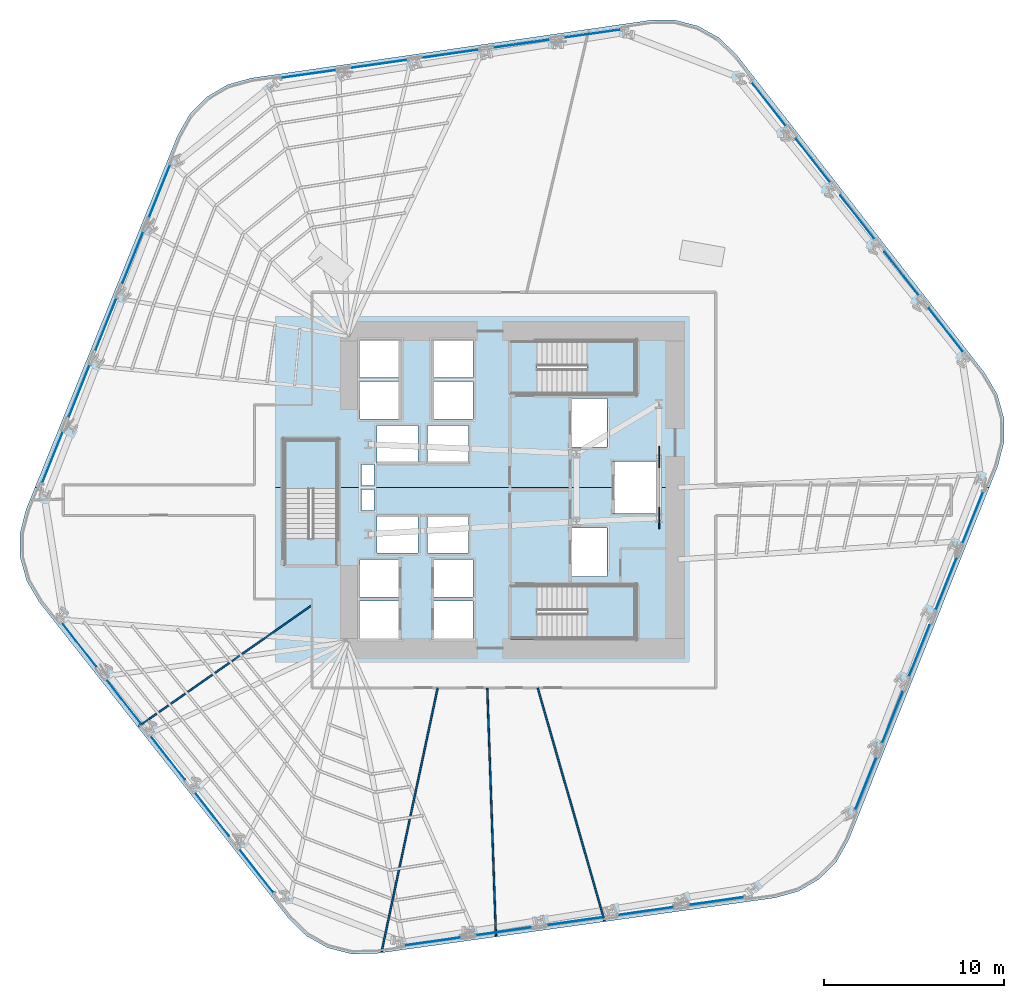
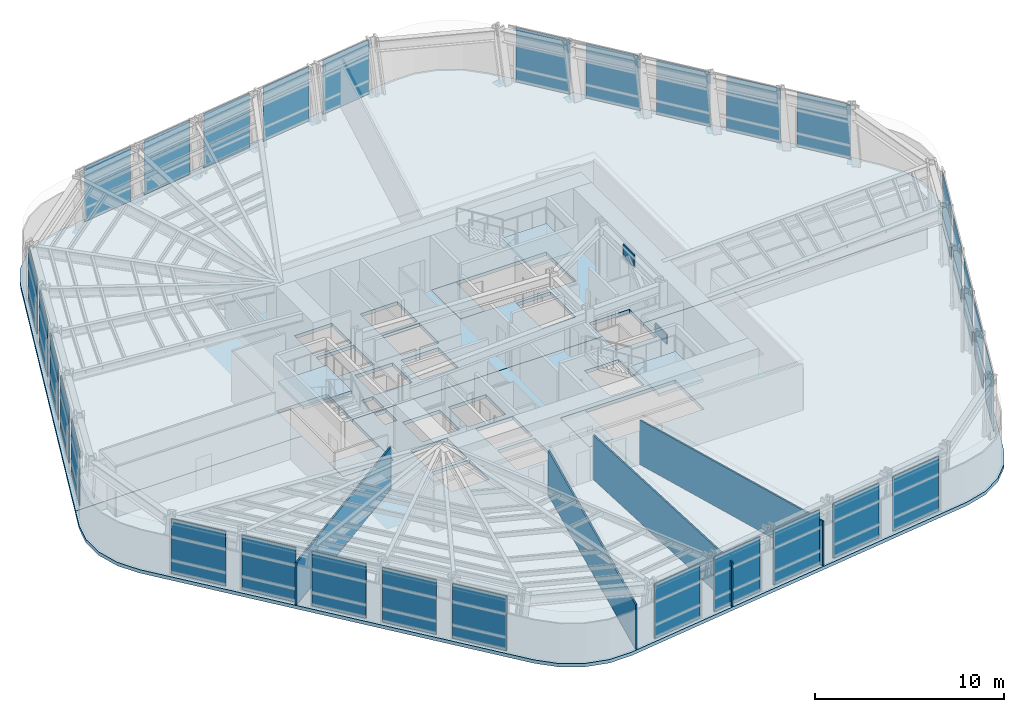
# One storey, part 7 of 16: 32 plates, 8 slabs, 4 walls, 9 elements without a shape of their own.
"""IFC4 building model written with IfcOpenShell, lengths in metres."""

from ifc_helpers import new_model, si_unit, direction, frame, frame_2d, origin, origin_2d, place, context, subcontext, project, spatial, polyline, rectangle, outline, extrude, material, layer, layer_set, type_object, element, aggregate, save


model = new_model("IFC4")

# Units and contexts
model_context = context("Model", 3, precision=1e-05, world=origin(), true_north=direction((0.0, 1.0)))
body_context = subcontext(model_context, "Body", "Model", "MODEL_VIEW")
ifc_project = project(units=[si_unit("LENGTHUNIT", "METRE"), si_unit("AREAUNIT", "SQUARE_METRE"), si_unit("VOLUMEUNIT", "CUBIC_METRE"), si_unit("PLANEANGLEUNIT", "RADIAN"), si_unit("MASSUNIT", "GRAM", prefix="KILO")], contexts=[model_context])

# Site, building, storey
site_placement = place(None, origin())
site = spatial("IfcSite", under=ifc_project, at=site_placement, CompositionType="ELEMENT")
building_placement = place(site_placement, origin())
building = spatial("IfcBuilding", under=site, at=building_placement, Name="Valkerne Bourse Tower", CompositionType="ELEMENT")
storey_placement = place(building_placement, frame((0.0, 0.0, 58.199951171875)))
storey = spatial("IfcBuildingStorey", under=building, at=storey_placement, Name="L14", CompositionType="ELEMENT", Elevation=58.199951171875)

# Curtain wall, plates
ifc_material_1 = material(Name="Aluminium AA 6063-T6", Category="aluminium")
ifc_layer_1 = layer(ifc_material_1, 0.22509765625)
ifc_layer_set_1 = layer_set([ifc_layer_1], Name="Aluminium AA 6063-T6")
curtain_wall_type = type_object("IfcCurtainWallType", Name="CW-01", PredefinedType="NOTDEFINED", material=ifc_layer_set_1)
curtain_wall_1_placement = place(storey_placement, origin())
curtain_wall_1 = element("IfcCurtainWall", 1, at=curtain_wall_1_placement, inside=storey, type_object=curtain_wall_type, Name="L14 Hexagonal Stick Curtain Wall Face 1", PredefinedType="NOTDEFINED")
ifc_material_2 = material(Name="Glass IGU Low-E Double Glazed", Category="glass")
ifc_layer_2 = layer(ifc_material_2, 0.031982421875)
ifc_layer_set_2 = layer_set([ifc_layer_2], Name="Glass IGU Low-E Double Glazed")
plate_type_1 = type_object("IfcPlateType", Name="CW-PNL-IGU-32", PredefinedType="CURTAIN_PANEL", material=ifc_layer_set_2)
plate_1_placement = place(storey_placement, frame((70.91064453125, 35.749267578125, 0.030029296875), z_axis=(0.0, 0.0, 1.0), x_axis=(-0.617050915686, 0.786923228435, 0.0)))
plate_1 = element("IfcPlate", 2, at=plate_1_placement, type_object=plate_type_1, Name="CW-L14-F1 Curtain Panel 00", PredefinedType="CURTAIN_PANEL", context=body_context, shape_type="SweptSolid", body=[
    extrude(rectangle(XDim=3.075927734375, YDim=0.031982421875, at=origin_2d()), origin(), (0.0, 0.0, 1.0), 3.52001953125),
])
plate_2_placement = place(storey_placement, frame((68.445068359375, 38.893798828125, 0.030029296875), z_axis=(0.0, 0.0, 1.0), x_axis=(-0.617038764225, 0.786932756621, 0.0)))
plate_2 = element("IfcPlate", 3, at=plate_2_placement, type_object=plate_type_1, Name="CW-L14-F1 Curtain Panel 01", PredefinedType="CURTAIN_PANEL", context=body_context, shape_type="SweptSolid", body=[
    extrude(rectangle(XDim=3.075927734375, YDim=0.031982421875, at=origin_2d()), origin(), (0.0, 0.0, 1.0), 3.52001953125),
])
plate_3_placement = place(storey_placement, frame((65.979248046875, 42.03857421875, 0.030029296875), z_axis=(0.0, 0.0, 1.0), x_axis=(-0.617038764225, 0.786932756621, 0.0)))
plate_3 = element("IfcPlate", 4, at=plate_3_placement, type_object=plate_type_1, Name="CW-L14-F1 Curtain Panel 02", PredefinedType="CURTAIN_PANEL", context=body_context, shape_type="SweptSolid", body=[
    extrude(rectangle(XDim=3.075927734375, YDim=0.031982421875, at=origin_2d()), origin(), (0.0, 0.0, 1.0), 3.52001953125),
])
plate_4_placement = place(storey_placement, frame((63.513671875, 45.18310546875, 0.030029296875), z_axis=(0.0, 0.0, 1.0), x_axis=(-0.617023266871, 0.786944907945, 0.0)))
plate_4 = element("IfcPlate", 5, at=plate_4_placement, type_object=plate_type_1, Name="CW-L14-F1 Curtain Panel 03", PredefinedType="CURTAIN_PANEL", context=body_context, shape_type="SweptSolid", body=[
    extrude(rectangle(XDim=3.075927734375, YDim=0.031982421875, at=origin_2d()), origin(), (0.0, 0.0, 1.0), 3.52001953125),
])
plate_5_placement = place(storey_placement, frame((61.048095703125, 48.32763671875, 0.030029296875), z_axis=(0.0, 0.0, 1.0), x_axis=(-0.617038764225, 0.786932756621, 0.0)))
plate_5 = element("IfcPlate", 6, at=plate_5_placement, type_object=plate_type_1, Name="CW-L14-F1 Curtain Panel 04", PredefinedType="CURTAIN_PANEL", context=body_context, shape_type="SweptSolid", body=[
    extrude(rectangle(XDim=3.075927734375, YDim=0.031982421875, at=origin_2d()), origin(), (0.0, 0.0, 1.0), 3.52001953125),
])
aggregate(curtain_wall_1, [plate_1, plate_2, plate_3, plate_4, plate_5])

curtain_wall_2_placement = place(storey_placement, origin())
curtain_wall_2 = element("IfcCurtainWall", 7, at=curtain_wall_2_placement, inside=storey, type_object=curtain_wall_type, Name="L14 Hexagonal Stick Curtain Wall Face 2", PredefinedType="NOTDEFINED")
plate_6_placement = place(storey_placement, frame((51.2783203125, 52.255126953125, 0.030029296875), z_axis=(0.0, 0.0, 1.0), x_axis=(-0.990021934564, -0.140913338908, 0.0)))
plate_6 = element("IfcPlate", 8, at=plate_6_placement, type_object=plate_type_1, Name="CW-L14-F2 Curtain Panel 00", PredefinedType="CURTAIN_PANEL", context=body_context, shape_type="SweptSolid", body=[
    extrude(rectangle(XDim=3.076171875, YDim=0.031982421875, at=origin_2d()), origin(), (0.0, 0.0, 1.0), 3.52001953125),
])
plate_7_placement = place(storey_placement, frame((47.322021484375, 51.692138671875, 0.030029296875), z_axis=(0.0, 0.0, 1.0), x_axis=(-0.990024928635, -0.14089230171, 0.0)))
plate_7 = element("IfcPlate", 9, at=plate_7_placement, type_object=plate_type_1, Name="CW-L14-F2 Curtain Panel 01", PredefinedType="CURTAIN_PANEL", context=body_context, shape_type="SweptSolid", body=[
    extrude(rectangle(XDim=3.075927734375, YDim=0.031982421875, at=origin_2d()), origin(), (0.0, 0.0, 1.0), 3.52001953125),
])
plate_8_placement = place(storey_placement, frame((43.365966796875, 51.12890625, 0.030029296875), z_axis=(0.0, 0.0, 1.0), x_axis=(-0.990021437646, -0.140916830088, 0.0)))
plate_8 = element("IfcPlate", 10, at=plate_8_placement, type_object=plate_type_1, Name="CW-L14-F2 Curtain Panel 02", PredefinedType="CURTAIN_PANEL", context=body_context, shape_type="SweptSolid", body=[
    extrude(rectangle(XDim=3.075927734375, YDim=0.031982421875, at=origin_2d()), origin(), (0.0, 0.0, 1.0), 3.52001953125),
])
plate_9_placement = place(storey_placement, frame((39.409912109375, 50.56591796875, 0.030029296875), z_axis=(0.0, 0.0, 1.0), x_axis=(-0.990025425383, -0.140888811104, 0.0)))
plate_9 = element("IfcPlate", 11, at=plate_9_placement, type_object=plate_type_1, Name="CW-L14-F2 Curtain Panel 03", PredefinedType="CURTAIN_PANEL", context=body_context, shape_type="SweptSolid", body=[
    extrude(rectangle(XDim=3.076171875, YDim=0.031982421875, at=origin_2d()), origin(), (0.0, 0.0, 1.0), 3.52001953125),
])
plate_10_placement = place(storey_placement, frame((35.45361328125, 50.0029296875, 0.030029296875), z_axis=(0.0, 0.0, 1.0), x_axis=(-0.990021437646, -0.140916830088, 0.0)))
plate_10 = element("IfcPlate", 12, at=plate_10_placement, type_object=plate_type_1, Name="CW-L14-F2 Curtain Panel 04", PredefinedType="CURTAIN_PANEL", context=body_context, shape_type="SweptSolid", body=[
    extrude(rectangle(XDim=3.075927734375, YDim=0.031982421875, at=origin_2d()), origin(), (0.0, 0.0, 1.0), 3.52001953125),
])
aggregate(curtain_wall_2, [plate_6, plate_7, plate_8, plate_9, plate_10])

curtain_wall_3_placement = place(storey_placement, origin())
curtain_wall_3 = element("IfcCurtainWall", 13, at=curtain_wall_3_placement, inside=storey, type_object=curtain_wall_type, Name="L14 Hexagonal Stick Curtain Wall Face 3", PredefinedType="NOTDEFINED")
plate_11_placement = place(storey_placement, frame((27.16748046875, 43.505859375, 0.030029296875), z_axis=(0.0, 0.0, 1.0), x_axis=(-0.372999492864, -0.927831546307, 0.0)))
plate_11 = element("IfcPlate", 14, at=plate_11_placement, type_object=plate_type_1, Name="CW-L14-F3 Curtain Panel 00", PredefinedType="CURTAIN_PANEL", context=body_context, shape_type="SweptSolid", body=[
    extrude(rectangle(XDim=3.075927734375, YDim=0.031982421875, at=origin_2d()), origin(), (0.0, 0.0, 1.0), 3.52001953125),
])
plate_12_placement = place(storey_placement, frame((25.677001953125, 39.798095703125, 0.030029296875), z_axis=(0.0, 0.0, 1.0), x_axis=(-0.372969288958, -0.927843688071, 0.0)))
plate_12 = element("IfcPlate", 15, at=plate_12_placement, type_object=plate_type_1, Name="CW-L14-F3 Curtain Panel 01", PredefinedType="CURTAIN_PANEL", context=body_context, shape_type="SweptSolid", body=[
    extrude(rectangle(XDim=3.075927734375, YDim=0.031982421875, at=origin_2d()), origin(), (0.0, 0.0, 1.0), 3.52001953125),
])
plate_13_placement = place(storey_placement, frame((24.1865234375, 36.090576171875, 0.030029296875), z_axis=(0.0, 0.0, 1.0), x_axis=(-0.372999492864, -0.927831546307, 0.0)))
plate_13 = element("IfcPlate", 16, at=plate_13_placement, type_object=plate_type_1, Name="CW-L14-F3 Curtain Panel 02", PredefinedType="CURTAIN_PANEL", context=body_context, shape_type="SweptSolid", body=[
    extrude(rectangle(XDim=3.075927734375, YDim=0.031982421875, at=origin_2d()), origin(), (0.0, 0.0, 1.0), 3.52001953125),
])
plate_14_placement = place(storey_placement, frame((22.6962890625, 32.3828125, 0.030029296875), z_axis=(0.0, 0.0, 1.0), x_axis=(-0.372977949163, -0.927840206845, 0.0)))
plate_14 = element("IfcPlate", 17, at=plate_14_placement, type_object=plate_type_1, Name="CW-L14-F3 Curtain Panel 03", PredefinedType="CURTAIN_PANEL", context=body_context, shape_type="SweptSolid", body=[
    extrude(rectangle(XDim=3.075927734375, YDim=0.031982421875, at=origin_2d()), origin(), (0.0, 0.0, 1.0), 3.52001953125),
])
plate_15_placement = place(storey_placement, frame((21.205810546875, 28.67529296875, 0.030029296875), z_axis=(0.0, 0.0, 1.0), x_axis=(-0.372990832335, -0.927835027898, 0.0)))
plate_15 = element("IfcPlate", 18, at=plate_15_placement, type_object=plate_type_1, Name="CW-L14-F3 Curtain Panel 04", PredefinedType="CURTAIN_PANEL", context=body_context, shape_type="SweptSolid", body=[
    extrude(rectangle(XDim=3.076171875, YDim=0.031982421875, at=origin_2d()), origin(), (0.0, 0.0, 1.0), 3.52001953125),
])
aggregate(curtain_wall_3, [plate_11, plate_12, plate_13, plate_14, plate_15])

curtain_wall_4_placement = place(storey_placement, origin())
curtain_wall_4 = element("IfcCurtainWall", 19, at=curtain_wall_4_placement, inside=storey, type_object=curtain_wall_type, Name="L14 Hexagonal Stick Curtain Wall Face 4", PredefinedType="NOTDEFINED")
plate_16_placement = place(storey_placement, frame((22.689208984375, 18.250732421875, 0.030029296875), z_axis=(0.0, 0.0, 1.0), x_axis=(0.617050915686, -0.786923228435, 0.0)))
plate_16 = element("IfcPlate", 20, at=plate_16_placement, type_object=plate_type_1, Name="CW-L14-F4 Curtain Panel 00", PredefinedType="CURTAIN_PANEL", context=body_context, shape_type="SweptSolid", body=[
    extrude(rectangle(XDim=3.075927734375, YDim=0.031982421875, at=origin_2d()), origin(), (0.0, 0.0, 1.0), 3.52001953125),
])
plate_17_placement = place(storey_placement, frame((25.155029296875, 15.106201171875, 0.030029296875), z_axis=(0.0, 0.0, 1.0), x_axis=(0.617038764225, -0.786932756621, 0.0)))
plate_17 = element("IfcPlate", 21, at=plate_17_placement, type_object=plate_type_1, Name="CW-L14-F4 Curtain Panel 01", PredefinedType="CURTAIN_PANEL", context=body_context, shape_type="SweptSolid", body=[
    extrude(rectangle(XDim=3.075927734375, YDim=0.031982421875, at=origin_2d()), origin(), (0.0, 0.0, 1.0), 3.52001953125),
])
plate_18_placement = place(storey_placement, frame((27.62060546875, 11.96142578125, 0.030029296875), z_axis=(0.0, 0.0, 1.0), x_axis=(0.617038764225, -0.786932756621, 0.0)))
plate_18 = element("IfcPlate", 22, at=plate_18_placement, type_object=plate_type_1, Name="CW-L14-F4 Curtain Panel 02", PredefinedType="CURTAIN_PANEL", context=body_context, shape_type="SweptSolid", body=[
    extrude(rectangle(XDim=3.075927734375, YDim=0.031982421875, at=origin_2d()), origin(), (0.0, 0.0, 1.0), 3.52001953125),
])
plate_19_placement = place(storey_placement, frame((30.086181640625, 8.81689453125, 0.030029296875), z_axis=(0.0, 0.0, 1.0), x_axis=(0.617023266871, -0.786944907945, 0.0)))
plate_19 = element("IfcPlate", 23, at=plate_19_placement, type_object=plate_type_1, Name="CW-L14-F4 Curtain Panel 03", PredefinedType="CURTAIN_PANEL", context=body_context, shape_type="SweptSolid", body=[
    extrude(rectangle(XDim=3.075927734375, YDim=0.031982421875, at=origin_2d()), origin(), (0.0, 0.0, 1.0), 3.52001953125),
])
plate_20_placement = place(storey_placement, frame((32.552001953125, 5.67236328125, 0.030029296875), z_axis=(0.0, 0.0, 1.0), x_axis=(0.617038764225, -0.786932756621, 0.0)))
plate_20 = element("IfcPlate", 24, at=plate_20_placement, type_object=plate_type_1, Name="CW-L14-F4 Curtain Panel 04", PredefinedType="CURTAIN_PANEL", context=body_context, shape_type="SweptSolid", body=[
    extrude(rectangle(XDim=3.075927734375, YDim=0.031982421875, at=origin_2d()), origin(), (0.0, 0.0, 1.0), 3.52001953125),
])
aggregate(curtain_wall_4, [plate_16, plate_17, plate_18, plate_19, plate_20])

curtain_wall_5_placement = place(storey_placement, origin())
curtain_wall_5 = element("IfcCurtainWall", 25, at=curtain_wall_5_placement, inside=storey, type_object=curtain_wall_type, Name="L14 Hexagonal Stick Curtain Wall Face 5", PredefinedType="NOTDEFINED")
plate_21_placement = place(storey_placement, frame((42.32177734375, 1.744873046875, 0.030029296875), z_axis=(0.0, 0.0, 1.0), x_axis=(0.990021934564, 0.140913338908, 0.0)))
plate_21 = element("IfcPlate", 26, at=plate_21_placement, type_object=plate_type_1, Name="CW-L14-F5 Curtain Panel 00", PredefinedType="CURTAIN_PANEL", context=body_context, shape_type="SweptSolid", body=[
    extrude(rectangle(XDim=3.076171875, YDim=0.031982421875, at=origin_2d()), origin(), (0.0, 0.0, 1.0), 3.52001953125),
])
plate_22_placement = place(storey_placement, frame((46.278076171875, 2.307861328125, 0.030029296875), z_axis=(0.0, 0.0, 1.0), x_axis=(0.990024928635, 0.14089230171, 0.0)))
plate_22 = element("IfcPlate", 27, at=plate_22_placement, type_object=plate_type_1, Name="CW-L14-F5 Curtain Panel 01", PredefinedType="CURTAIN_PANEL", context=body_context, shape_type="SweptSolid", body=[
    extrude(rectangle(XDim=3.075927734375, YDim=0.031982421875, at=origin_2d()), origin(), (0.0, 0.0, 1.0), 3.52001953125),
])
plate_23_placement = place(storey_placement, frame((50.23388671875, 2.87109375, 0.030029296875), z_axis=(0.0, 0.0, 1.0), x_axis=(0.990021437646, 0.140916830088, 0.0)))
plate_23 = element("IfcPlate", 28, at=plate_23_placement, type_object=plate_type_1, Name="CW-L14-F5 Curtain Panel 02", PredefinedType="CURTAIN_PANEL", context=body_context, shape_type="SweptSolid", body=[
    extrude(rectangle(XDim=3.075927734375, YDim=0.031982421875, at=origin_2d()), origin(), (0.0, 0.0, 1.0), 3.52001953125),
])
plate_24_placement = place(storey_placement, frame((54.190185546875, 3.43408203125, 0.030029296875), z_axis=(0.0, 0.0, 1.0), x_axis=(0.990025425383, 0.140888811104, 0.0)))
plate_24 = element("IfcPlate", 29, at=plate_24_placement, type_object=plate_type_1, Name="CW-L14-F5 Curtain Panel 03", PredefinedType="CURTAIN_PANEL", context=body_context, shape_type="SweptSolid", body=[
    extrude(rectangle(XDim=3.076171875, YDim=0.031982421875, at=origin_2d()), origin(), (0.0, 0.0, 1.0), 3.52001953125),
])
plate_25_placement = place(storey_placement, frame((58.146240234375, 3.9970703125, 0.030029296875), z_axis=(0.0, 0.0, 1.0), x_axis=(0.990021437646, 0.140916830088, 0.0)))
plate_25 = element("IfcPlate", 30, at=plate_25_placement, type_object=plate_type_1, Name="CW-L14-F5 Curtain Panel 04", PredefinedType="CURTAIN_PANEL", context=body_context, shape_type="SweptSolid", body=[
    extrude(rectangle(XDim=3.075927734375, YDim=0.031982421875, at=origin_2d()), origin(), (0.0, 0.0, 1.0), 3.52001953125),
])
aggregate(curtain_wall_5, [plate_21, plate_22, plate_23, plate_24, plate_25])

curtain_wall_6_placement = place(storey_placement, origin())
curtain_wall_6 = element("IfcCurtainWall", 31, at=curtain_wall_6_placement, inside=storey, type_object=curtain_wall_type, Name="L14 Hexagonal Stick Curtain Wall Face 6", PredefinedType="NOTDEFINED")
plate_26_placement = place(storey_placement, frame((66.4326171875, 10.494140625, 0.030029296875), z_axis=(0.0, 0.0, 1.0), x_axis=(0.372999492864, 0.927831546307, 0.0)))
plate_26 = element("IfcPlate", 32, at=plate_26_placement, type_object=plate_type_1, Name="CW-L14-F6 Curtain Panel 00", PredefinedType="CURTAIN_PANEL", context=body_context, shape_type="SweptSolid", body=[
    extrude(rectangle(XDim=3.075927734375, YDim=0.031982421875, at=origin_2d()), origin(), (0.0, 0.0, 1.0), 3.52001953125),
])
plate_27_placement = place(storey_placement, frame((67.923095703125, 14.201904296875, 0.030029296875), z_axis=(0.0, 0.0, 1.0), x_axis=(0.372969288958, 0.927843688071, 0.0)))
plate_27 = element("IfcPlate", 33, at=plate_27_placement, type_object=plate_type_1, Name="CW-L14-F6 Curtain Panel 01", PredefinedType="CURTAIN_PANEL", context=body_context, shape_type="SweptSolid", body=[
    extrude(rectangle(XDim=3.075927734375, YDim=0.031982421875, at=origin_2d()), origin(), (0.0, 0.0, 1.0), 3.52001953125),
])
plate_28_placement = place(storey_placement, frame((69.413330078125, 17.909423828125, 0.030029296875), z_axis=(0.0, 0.0, 1.0), x_axis=(0.372999492864, 0.927831546307, 0.0)))
plate_28 = element("IfcPlate", 34, at=plate_28_placement, type_object=plate_type_1, Name="CW-L14-F6 Curtain Panel 02", PredefinedType="CURTAIN_PANEL", context=body_context, shape_type="SweptSolid", body=[
    extrude(rectangle(XDim=3.075927734375, YDim=0.031982421875, at=origin_2d()), origin(), (0.0, 0.0, 1.0), 3.52001953125),
])
plate_29_placement = place(storey_placement, frame((70.90380859375, 21.6171875, 0.030029296875), z_axis=(0.0, 0.0, 1.0), x_axis=(0.372977949163, 0.927840206845, 0.0)))
plate_29 = element("IfcPlate", 35, at=plate_29_placement, type_object=plate_type_1, Name="CW-L14-F6 Curtain Panel 03", PredefinedType="CURTAIN_PANEL", context=body_context, shape_type="SweptSolid", body=[
    extrude(rectangle(XDim=3.075927734375, YDim=0.031982421875, at=origin_2d()), origin(), (0.0, 0.0, 1.0), 3.52001953125),
])
plate_30_placement = place(storey_placement, frame((72.394287109375, 25.32470703125, 0.030029296875), z_axis=(0.0, 0.0, 1.0), x_axis=(0.372990832335, 0.927835027898, 0.0)))
plate_30 = element("IfcPlate", 36, at=plate_30_placement, type_object=plate_type_1, Name="CW-L14-F6 Curtain Panel 04", PredefinedType="CURTAIN_PANEL", context=body_context, shape_type="SweptSolid", body=[
    extrude(rectangle(XDim=3.076171875, YDim=0.031982421875, at=origin_2d()), origin(), (0.0, 0.0, 1.0), 3.52001953125),
])
aggregate(curtain_wall_6, [plate_26, plate_27, plate_28, plate_29, plate_30])

# Plates
ifc_material_3 = material(Name="Steel ASTM A572 Grade 50", Category="steel")
ifc_layer_3 = layer(ifc_material_3, 0.06005859375)
ifc_layer_set_3 = layer_set([ifc_layer_3], Name="Steel ASTM A572 Grade 50")
plate_type_2 = type_object("IfcPlateType", Name="PLT-GUS-60", PredefinedType="SHEET", material=ifc_layer_set_3)
for number, where, z_axis, x_axis, name in (
    (37, (54.949951171875, 25.300048828125, -0.18017578125), (0.0, 0.0, 1.0), (0.0, 1.0, 0.0), "L14 Brace Node Gusset Plate PLT-GUS-END-L14-344"),
    (38, (54.949951171875, 28.699951171875, 2.8740234375), (0.0, 0.0, 1.0), (0.0, 1.0, 0.0), "L14 Brace Node Gusset Plate PLT-GUS-END-L14-345"),
):
    element("IfcPlate", number, at=place(storey_placement, frame(where, z_axis=z_axis, x_axis=x_axis)), inside=storey, type_object=plate_type_2, Name=name, PredefinedType="SHEET", context=body_context, shape_type="SweptSolid", body=[
        extrude(rectangle(XDim=1.199951171875, YDim=0.06005859375, at=origin_2d()), origin(), (0.0, 0.0, 1.0), 0.800048828125),
    ])

# Slabs
ifc_material_4 = material(Name="Concrete C40/50", Category="concrete")
ifc_layer_4 = layer(ifc_material_4, 0.25)
ifc_layer_set_4 = layer_set([ifc_layer_4], Name="Concrete C40/50")
slab_type_1 = type_object("IfcSlabType", Name="SLB-RMP-LND-250", PredefinedType="LANDING", material=ifc_layer_set_4)
slab_1_placement = place(storey_placement, frame((0.0, 0.0, -0.219970703125)))
element("IfcSlab", 39, at=slab_1_placement, inside=storey, type_object=slab_type_1, Name="L14 ST-1 Floor Landing Slab", PredefinedType="LANDING", context=body_context, shape_type="SweptSolid", body=[
    extrude(outline(polyline([(46.669921875, 18.5400390625), (48.14990234375, 18.5400390625), (48.14990234375, 21.610107421875), (46.669921875, 21.610107421875), (46.669921875, 18.5400390625)])), origin(), (0.0, 0.0, 1.0), 0.219970703125),
])
slab_2_placement = place(storey_placement, frame((0.0, 0.0, -0.219970703125)))
element("IfcSlab", 40, at=slab_2_placement, inside=storey, type_object=slab_type_1, Name="L14 ST-2 Floor Landing Slab", PredefinedType="LANDING", context=body_context, shape_type="SweptSolid", body=[
    extrude(outline(polyline([(46.669921875, 32.139892578125), (48.14990234375, 32.139892578125), (48.14990234375, 35.2099609375), (46.669921875, 35.2099609375), (46.669921875, 32.139892578125)])), origin(), (0.0, 0.0, 1.0), 0.219970703125),
])
slab_3_placement = place(storey_placement, frame((0.0, 0.0, -0.219970703125)))
element("IfcSlab", 41, at=slab_3_placement, inside=storey, type_object=slab_type_1, Name="L14 ST-3 Floor Landing Slab", PredefinedType="LANDING", context=body_context, shape_type="SweptSolid", body=[
    extrude(outline(polyline([(37.110107421875, 22.669921875), (37.110107421875, 24.14990234375), (34.0400390625, 24.14990234375), (34.0400390625, 22.669921875), (37.110107421875, 22.669921875)])), origin(), (0.0, 0.0, 1.0), 0.219970703125),
])

# Stair, slab
stair_type = type_object("IfcStairType", Name="ST-CORE-1400", PredefinedType="HALF_TURN_STAIR", material=ifc_material_4)
stair_1_placement = place(storey_placement, origin())
stair_1 = element("IfcStair", 42, at=stair_1_placement, inside=storey, type_object=stair_type, Name="L14 ST-1", PredefinedType="HALF_TURN_STAIR")
ifc_layer_5 = layer(ifc_material_4, 0.179931640625)
ifc_layer_set_5 = layer_set([ifc_layer_5], Name="Concrete C40/50")
slab_type_2 = type_object("IfcSlabType", Name="SLB-ST-LND-180", PredefinedType="LANDING", material=ifc_layer_set_5)
slab_4_placement = place(storey_placement, frame((0.0, 0.0, 1.699951171875)))
slab_4 = element("IfcSlab", 43, at=slab_4_placement, type_object=slab_type_2, Name="ST-1 landing 1", PredefinedType="LANDING", context=body_context, shape_type="SweptSolid", body=[
    extrude(outline(polyline([(50.949951171875, 18.60009765625), (53.64990234375, 18.60009765625), (53.64990234375, 21.550048828125), (50.949951171875, 21.550048828125), (50.949951171875, 18.60009765625)])), origin(), (0.0, 0.0, 1.0), 0.2001953125),
])
aggregate(stair_1, [slab_4])

stair_2_placement = place(storey_placement, origin())
stair_2 = element("IfcStair", 44, at=stair_2_placement, inside=storey, type_object=stair_type, Name="L14 ST-2", PredefinedType="HALF_TURN_STAIR")
slab_5_placement = place(storey_placement, frame((0.0, 0.0, 1.699951171875)))
slab_5 = element("IfcSlab", 45, at=slab_5_placement, type_object=slab_type_2, Name="ST-2 landing 1", PredefinedType="LANDING", context=body_context, shape_type="SweptSolid", body=[
    extrude(outline(polyline([(50.949951171875, 32.199951171875), (53.64990234375, 32.199951171875), (53.64990234375, 35.14990234375), (50.949951171875, 35.14990234375), (50.949951171875, 32.199951171875)])), origin(), (0.0, 0.0, 1.0), 0.2001953125),
])
aggregate(stair_2, [slab_5])

stair_3_placement = place(storey_placement, origin())
stair_3 = element("IfcStair", 46, at=stair_3_placement, inside=storey, type_object=stair_type, Name="L14 ST-3", PredefinedType="HALF_TURN_STAIR")
slab_6_placement = place(storey_placement, frame((0.0, 0.0, 1.699951171875)))
slab_6 = element("IfcSlab", 47, at=slab_6_placement, type_object=slab_type_2, Name="ST-3 landing 1", PredefinedType="LANDING", context=body_context, shape_type="SweptSolid", body=[
    extrude(outline(polyline([(37.050048828125, 26.949951171875), (37.050048828125, 29.64990234375), (34.10009765625, 29.64990234375), (34.10009765625, 26.949951171875), (37.050048828125, 26.949951171875)])), origin(), (0.0, 0.0, 1.0), 0.2001953125),
])
aggregate(stair_3, [slab_6])

# Slabs
ifc_layer_6 = layer(ifc_material_4, 0.219970703125)
ifc_layer_set_6 = layer_set([ifc_layer_6], Name="Concrete C40/50")
slab_type_3 = type_object("IfcSlabType", Name="SLB-TOW-220", PredefinedType="FLOOR", material=ifc_layer_set_6)
slab_7_placement = place(storey_placement, frame((0.0, 0.0, -0.219970703125)))
element("IfcSlab", 48, at=slab_7_placement, inside=storey, type_object=slab_type_3, Name="L14 Hexagonal Composite Floor Slab S", PredefinedType="FLOOR", context=body_context, shape_type="SweptSolid", body=[
    extrude(outline(polyline([(64.8203125, 6.198974609375), (63.87060546875, 5.22900390625), (62.7021484375, 4.5380859375), (61.394775390625, 4.1728515625), (39.179443359375, 1.072509765625), (37.822021484375, 1.058349609375), (36.507080078125, 1.395751953125), (35.324462890625, 2.062255859375), (34.354736328125, 3.011962890625), (20.466552734375, 20.6259765625), (19.775390625, 21.79443359375), (19.410400390625, 23.101806640625), (19.396240234375, 24.459228515625), (19.73388671875, 25.774169921875), (20.23046875, 27.0), (34.034912109375, 27.0), (34.034912109375, 22.6650390625), (37.114990234375, 22.6650390625), (37.114990234375, 27.0), (52.360107421875, 27.0), (52.360107421875, 25.56005859375), (54.840087890625, 25.56005859375), (54.840087890625, 27.0), (73.31201171875, 27.0), (65.48681640625, 7.381591796875), (64.8203125, 6.198974609375)]), holes=[polyline([(40.590087890625, 20.68994140625), (38.31005859375, 20.68994140625), (38.31005859375, 18.610107421875), (40.590087890625, 18.610107421875), (40.590087890625, 20.68994140625)]), polyline([(40.590087890625, 22.989990234375), (38.31005859375, 22.989990234375), (38.31005859375, 20.909912109375), (40.590087890625, 20.909912109375), (40.590087890625, 22.989990234375)]), polyline([(41.5400390625, 25.43994140625), (39.260009765625, 25.43994140625), (39.260009765625, 23.360107421875), (41.5400390625, 23.360107421875), (41.5400390625, 25.43994140625)]), polyline([(39.10009765625, 25.72998046875), (39.10009765625, 26.89990234375), (38.3798828125, 26.89990234375), (38.3798828125, 25.72998046875), (39.10009765625, 25.72998046875)]), polyline([(44.590087890625, 20.68994140625), (42.31005859375, 20.68994140625), (42.31005859375, 18.610107421875), (44.590087890625, 18.610107421875), (44.590087890625, 20.68994140625)]), polyline([(53.675048828125, 21.614990234375), (46.6650390625, 21.614990234375), (46.6650390625, 18.534912109375), (53.675048828125, 18.534912109375), (53.675048828125, 21.614990234375)]), polyline([(44.590087890625, 22.989990234375), (42.31005859375, 22.989990234375), (42.31005859375, 20.909912109375), (44.590087890625, 20.909912109375), (44.590087890625, 22.989990234375)]), polyline([(52.0400390625, 22.06005859375), (52.0400390625, 24.739990234375), (49.9599609375, 24.739990234375), (49.9599609375, 22.06005859375), (52.0400390625, 22.06005859375)]), polyline([(44.340087890625, 23.360107421875), (44.340087890625, 25.43994140625), (42.06005859375, 25.43994140625), (42.06005859375, 23.360107421875), (44.340087890625, 23.360107421875)])]), origin(), (0.0, 0.0, 1.0), 0.219970703125),
])
slab_8_placement = place(storey_placement, frame((0.0, 0.0, -0.219970703125)))
element("IfcSlab", 49, at=slab_8_placement, inside=storey, type_object=slab_type_3, Name="L14 Hexagonal Composite Floor Slab N", PredefinedType="FLOOR", context=body_context, shape_type="SweptSolid", body=[
    extrude(outline(polyline([(28.156494140625, 46.5634765625), (28.82275390625, 47.74609375), (29.772705078125, 48.7158203125), (30.94091796875, 49.406982421875), (32.24853515625, 49.77197265625), (54.44677734375, 52.992431640625), (55.80419921875, 53.006591796875), (57.118896484375, 52.669189453125), (58.301513671875, 52.002685546875), (59.271484375, 51.052978515625), (73.064208984375, 33.364013671875), (73.755126953125, 32.19580078125), (74.120361328125, 30.88818359375), (74.134521484375, 29.531005859375), (73.796875, 28.216064453125), (73.31201171875, 27.0), (54.840087890625, 27.0), (54.840087890625, 28.43994140625), (52.360107421875, 28.43994140625), (52.360107421875, 27.0), (37.114990234375, 27.0), (37.114990234375, 29.675048828125), (34.034912109375, 29.675048828125), (34.034912109375, 27.0), (20.23046875, 27.0), (28.156494140625, 46.5634765625)]), holes=[polyline([(39.10009765625, 28.27001953125), (38.3798828125, 28.27001953125), (38.3798828125, 27.10009765625), (39.10009765625, 27.10009765625), (39.10009765625, 28.27001953125)]), polyline([(41.5400390625, 30.43994140625), (39.260009765625, 30.43994140625), (39.260009765625, 28.360107421875), (41.5400390625, 28.360107421875), (41.5400390625, 30.43994140625)]), polyline([(44.340087890625, 30.43994140625), (42.06005859375, 30.43994140625), (42.06005859375, 28.360107421875), (44.340087890625, 28.360107421875), (44.340087890625, 30.43994140625)]), polyline([(40.590087890625, 30.81005859375), (40.590087890625, 32.889892578125), (38.31005859375, 32.889892578125), (38.31005859375, 30.81005859375), (40.590087890625, 30.81005859375)]), polyline([(40.590087890625, 33.110107421875), (40.590087890625, 35.18994140625), (38.31005859375, 35.18994140625), (38.31005859375, 33.110107421875), (40.590087890625, 33.110107421875)]), polyline([(52.0400390625, 31.93994140625), (49.9599609375, 31.93994140625), (49.9599609375, 29.260009765625), (52.0400390625, 29.260009765625), (52.0400390625, 31.93994140625)]), polyline([(44.590087890625, 32.889892578125), (42.31005859375, 32.889892578125), (42.31005859375, 30.81005859375), (44.590087890625, 30.81005859375), (44.590087890625, 32.889892578125)]), polyline([(53.675048828125, 32.135009765625), (53.675048828125, 35.215087890625), (46.6650390625, 35.215087890625), (46.6650390625, 32.135009765625), (53.675048828125, 32.135009765625)]), polyline([(44.590087890625, 33.110107421875), (44.590087890625, 35.18994140625), (42.31005859375, 35.18994140625), (42.31005859375, 33.110107421875), (44.590087890625, 33.110107421875)])]), origin(), (0.0, 0.0, 1.0), 0.219970703125),
])

# Walls
ifc_material_5 = material(Name="Gypsum Board Steel-Stud Partition", Category="steel")
ifc_layer_7 = layer(ifc_material_5, 0.092041015625)
ifc_layer_set_7 = layer_set([ifc_layer_7], Name="Gypsum Board Steel-Stud Partition")
wall_type = type_object("IfcWallType", Name="W-PART-115", PredefinedType="PARTITIONING", material=ifc_layer_set_7)
wall_1_placement = place(storey_placement, frame((42.62890625, 15.844970703125, 0.0), z_axis=(0.0, 0.0, 1.0), x_axis=(-0.207909621499, -0.978148040579, 0.0)))
element("IfcWall", 50, at=wall_1_placement, inside=storey, type_object=wall_type, Name="L14 Suite Partition P01", PredefinedType="PARTITIONING", context=body_context, shape_type="SweptSolid", body=[
    extrude(rectangle(XDim=14.982421875, YDim=0.092041015625, at=frame_2d((7.4912109375, 0.0))), origin(), (0.0, 0.0, 1.0), 2.864013671875),
])
wall_2_placement = place(storey_placement, frame((45.389404296875, 15.844970703125, 0.0), z_axis=(0.0, 0.0, 1.0), x_axis=(0.03491149951, -0.9993904078, 0.0)))
element("IfcWall", 51, at=wall_2_placement, inside=storey, type_object=wall_type, Name="L14 Suite Partition P02", PredefinedType="PARTITIONING", context=body_context, shape_type="SweptSolid", body=[
    extrude(rectangle(XDim=13.7763671875, YDim=0.092041015625, at=frame_2d((6.88818359375, 0.0))), origin(), (0.0, 0.0, 1.0), 2.864013671875),
])
wall_3_placement = place(storey_placement, frame((48.198486328125, 15.844970703125, 0.0), z_axis=(0.0, 0.0, 1.0), x_axis=(0.275646621524, -0.961259038991, 0.0)))
element("IfcWall", 52, at=wall_3_placement, inside=storey, type_object=wall_type, Name="L14 Suite Partition P03", PredefinedType="PARTITIONING", context=body_context, shape_type="SweptSolid", body=[
    extrude(rectangle(XDim=13.44677734375, YDim=0.092041015625, at=frame_2d((6.723388671875, 0.0))), origin(), (0.0, 0.0, 1.0), 2.864013671875),
])
wall_4_placement = place(storey_placement, frame((35.64501953125, 20.4609375, 0.0), z_axis=(0.0, 0.0, 1.0), x_axis=(-0.81962553988, -0.572899619808, 0.0)))
element("IfcWall", 53, at=wall_4_placement, inside=storey, type_object=wall_type, Name="L14 Suite Partition P06", PredefinedType="PARTITIONING", context=body_context, shape_type="SweptSolid", body=[
    extrude(rectangle(XDim=11.766357421875, YDim=0.092041015625, at=frame_2d((5.88330078125, 0.0))), origin(), (0.0, 0.0, 1.0), 2.711669921875),
])

save(model, "model.ifc")
